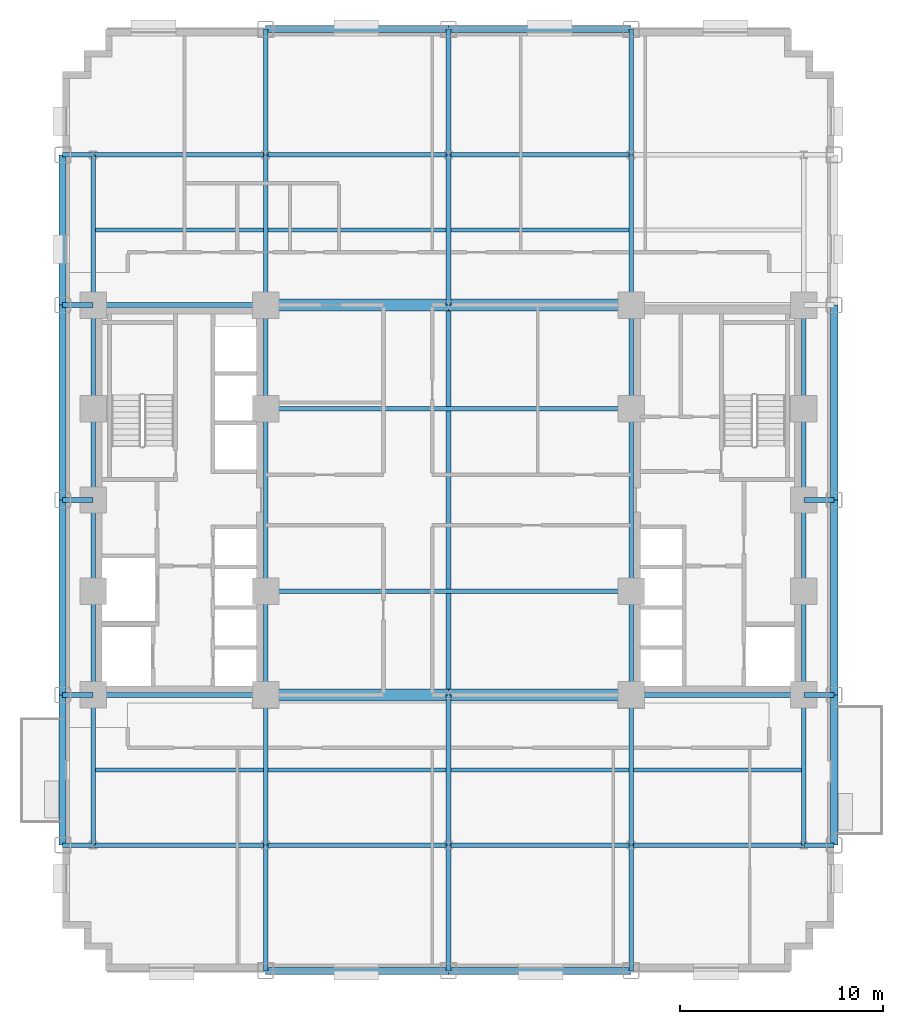
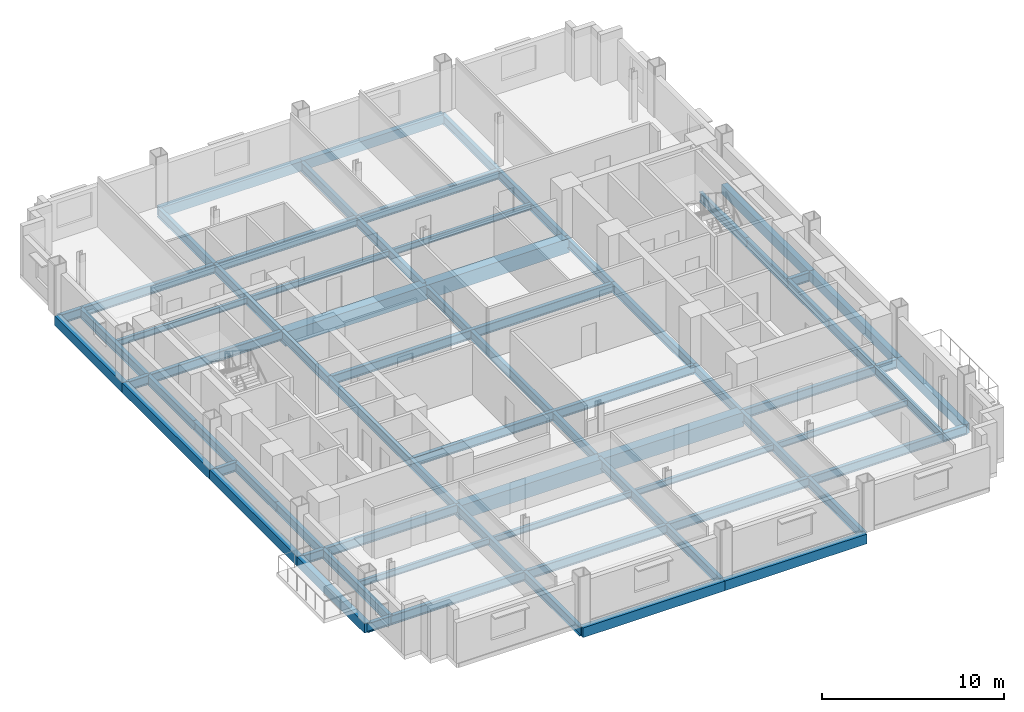
# One storey, part 3 of 12: 72 beams.
"""IFC4 building model written with IfcOpenShell, lengths in metres."""

from ifc_helpers import new_model, si_unit, direction, frame, origin, origin_2d, place, context, subcontext, project, spatial, rectangle, i_section, extrude, material, material_profile, profile_set, type_object, element, save


model = new_model("IFC4")

# Units and contexts
model_context = context("Model", 3, precision=1e-05, world=origin(), true_north=direction((0.0, 1.0)))
body_context = subcontext(model_context, "Body", "Model", "MODEL_VIEW")
ifc_project = project(units=[si_unit("LENGTHUNIT", "METRE"), si_unit("AREAUNIT", "SQUARE_METRE"), si_unit("VOLUMEUNIT", "CUBIC_METRE"), si_unit("PLANEANGLEUNIT", "RADIAN"), si_unit("MASSUNIT", "GRAM", prefix="KILO")], contexts=[model_context])

# Site, building, storey
site_placement = place(None, origin())
site = spatial("IfcSite", under=ifc_project, at=site_placement, CompositionType="ELEMENT")
building_placement = place(site_placement, origin())
building = spatial("IfcBuilding", under=site, at=building_placement, Name="Nuvemarco Arch Tower", CompositionType="ELEMENT")
storey_placement = place(building_placement, frame((0.0, 0.0, 45.85009765625)))
storey = spatial("IfcBuildingStorey", under=building, at=storey_placement, Name="L11", CompositionType="ELEMENT", Elevation=45.85009765625)

# Beams
ifc_material_1 = material(Name="Concrete C60/75", Category="concrete")
ifc_material_profile_1 = material_profile(ifc_material_1, rectangle(XDim=0.60009765625, YDim=0.949951171875, at=origin_2d()), Name="RC-BM-600x950")
ifc_profile_set_1 = profile_set([ifc_material_profile_1], Name="Concrete C60/75")
beam_type_1 = type_object("IfcBeamType", Name="BM-COUP-RC", PredefinedType="LINTEL", material=ifc_profile_set_1)
for number, where, z_axis, x_axis, name in (
    (1, (-9.0, -9.60009765625, -0.755126953125), (1.0, 0.0, 0.0), (0.0, 1.0, 0.0), "L11 structural beam BGEW_L11_0_-9.6_-9.0"),
    (2, (0.0, -9.60009765625, -0.755126953125), (1.0, 0.0, 0.0), (0.0, 1.0, 0.0), "L11 structural beam BGEW_L11_0_-9.6_+0.0"),
    (3, (-9.0, 9.60009765625, -0.755126953125), (1.0, 0.0, 0.0), (0.0, 1.0, 0.0), "L11 structural beam BGEW_L11_0_+9.6_-9.0"),
    (4, (0.0, 9.60009765625, -0.755126953125), (1.0, 0.0, 0.0), (0.0, 1.0, 0.0), "L11 structural beam BGEW_L11_0_+9.6_+0.0"),
):
    element("IfcBeam", number, at=place(storey_placement, frame(where, z_axis=z_axis, x_axis=x_axis)), inside=storey, type_object=beam_type_1, Name=name, PredefinedType="LINTEL", context=body_context, shape_type="SweptSolid", body=[
        extrude(rectangle(XDim=0.60009765625, YDim=0.949951171875, at=origin_2d()), origin(), (0.0, 0.0, 1.0), 9.0),
    ])
ifc_material_2 = material(Name="Steel S355", Category="steel")
ifc_material_profile_2 = material_profile(ifc_material_2, i_section(OverallWidth=0.22998046875, OverallDepth=0.616943359375, WebThickness=0.01318359375, FlangeThickness=0.022216796875, FilletRadius=0.01611328125, at=origin_2d()), Name="W610x140")
ifc_profile_set_2 = profile_set([ifc_material_profile_2], Name="Steel S355")
beam_type_2 = type_object("IfcBeamType", Name="BM-GIRD-610", PredefinedType="BEAM", material=ifc_profile_set_2)
beam_1_placement = place(storey_placement, frame((-17.5, -17.0, -0.588623046875), z_axis=(0.0, 1.0, 0.0), x_axis=(-1.0, 0.0, 0.0)))
element("IfcBeam", 5, at=beam_1_placement, inside=storey, type_object=beam_type_2, Name="L11 structural beam BGNS_L11_0_-17.5_-17.0", PredefinedType="BEAM", context=body_context, shape_type="SweptSolid", body=[
    extrude(i_section(OverallWidth=0.22998046875, OverallDepth=0.616943359375, WebThickness=0.01318359375, FlangeThickness=0.022216796875, FilletRadius=0.01611328125, at=origin_2d()), origin(), (0.0, 0.0, 1.0), 7.39990234375),
])
beam_2_placement = place(storey_placement, frame((-17.5, -9.60009765625, -0.588623046875), z_axis=(0.0, 1.0, 0.0), x_axis=(-1.0, 0.0, 0.0)))
element("IfcBeam", 6, at=beam_2_placement, inside=storey, type_object=beam_type_2, Name="L11 structural beam BGNS_L11_0_-17.5_-9.6", PredefinedType="BEAM", context=body_context, shape_type="SweptSolid", body=[
    extrude(i_section(OverallWidth=0.22998046875, OverallDepth=0.616943359375, WebThickness=0.01318359375, FlangeThickness=0.022216796875, FilletRadius=0.01611328125, at=origin_2d()), origin(), (0.0, 0.0, 1.0), 5.10009765625),
])
for number, where, z_axis, x_axis, name in (
    (7, (-17.5, -4.5, -0.588623046875), (0.0, 1.0, 0.0), (-1.0, 0.0, 0.0), "L11 structural beam BGNS_L11_0_-17.5_-4.5"),
    (8, (-17.5, 0.0, -0.588623046875), (0.0, 1.0, 0.0), (-1.0, 0.0, 0.0), "L11 structural beam BGNS_L11_0_-17.5_+0.0"),
):
    element("IfcBeam", number, at=place(storey_placement, frame(where, z_axis=z_axis, x_axis=x_axis)), inside=storey, type_object=beam_type_2, Name=name, PredefinedType="BEAM", context=body_context, shape_type="SweptSolid", body=[
        extrude(i_section(OverallWidth=0.22998046875, OverallDepth=0.616943359375, WebThickness=0.01318359375, FlangeThickness=0.022216796875, FilletRadius=0.01611328125, at=origin_2d()), origin(), (0.0, 0.0, 1.0), 4.5),
    ])
beam_3_placement = place(storey_placement, frame((-17.5, 4.5, -0.588623046875), z_axis=(0.0, 1.0, 0.0), x_axis=(-1.0, 0.0, 0.0)))
element("IfcBeam", 9, at=beam_3_placement, inside=storey, type_object=beam_type_2, Name="L11 structural beam BGNS_L11_0_-17.5_+4.5", PredefinedType="BEAM", context=body_context, shape_type="SweptSolid", body=[
    extrude(i_section(OverallWidth=0.22998046875, OverallDepth=0.616943359375, WebThickness=0.01318359375, FlangeThickness=0.022216796875, FilletRadius=0.01611328125, at=origin_2d()), origin(), (0.0, 0.0, 1.0), 5.10009765625),
])
beam_4_placement = place(storey_placement, frame((-17.5, 9.60009765625, -0.588623046875), z_axis=(0.0, 1.0, 0.0), x_axis=(-1.0, 0.0, 0.0)))
element("IfcBeam", 10, at=beam_4_placement, inside=storey, type_object=beam_type_2, Name="L11 structural beam BGNS_L11_0_-17.5_+9.6", PredefinedType="BEAM", context=body_context, shape_type="SweptSolid", body=[
    extrude(i_section(OverallWidth=0.22998046875, OverallDepth=0.616943359375, WebThickness=0.01318359375, FlangeThickness=0.022216796875, FilletRadius=0.01611328125, at=origin_2d()), origin(), (0.0, 0.0, 1.0), 7.39990234375),
])
beam_5_placement = place(storey_placement, frame((-9.0, -23.199951171875, -0.588623046875), z_axis=(0.0, 1.0, 0.0), x_axis=(-1.0, 0.0, 0.0)))
element("IfcBeam", 11, at=beam_5_placement, inside=storey, type_object=beam_type_2, Name="L11 structural beam BGNS_L11_0_-9.0_-23.2", PredefinedType="BEAM", context=body_context, shape_type="SweptSolid", body=[
    extrude(i_section(OverallWidth=0.22998046875, OverallDepth=0.616943359375, WebThickness=0.01318359375, FlangeThickness=0.022216796875, FilletRadius=0.01611328125, at=origin_2d()), origin(), (0.0, 0.0, 1.0), 6.199951171875),
])
beam_6_placement = place(storey_placement, frame((-9.0, -17.0, -0.588623046875), z_axis=(0.0, 1.0, 0.0), x_axis=(-1.0, 0.0, 0.0)))
element("IfcBeam", 12, at=beam_6_placement, inside=storey, type_object=beam_type_2, Name="L11 structural beam BGNS_L11_0_-9.0_-17.0", PredefinedType="BEAM", context=body_context, shape_type="SweptSolid", body=[
    extrude(i_section(OverallWidth=0.22998046875, OverallDepth=0.616943359375, WebThickness=0.01318359375, FlangeThickness=0.022216796875, FilletRadius=0.01611328125, at=origin_2d()), origin(), (0.0, 0.0, 1.0), 7.39990234375),
])
beam_7_placement = place(storey_placement, frame((-9.0, -9.60009765625, -0.588623046875), z_axis=(0.0, 1.0, 0.0), x_axis=(-1.0, 0.0, 0.0)))
element("IfcBeam", 13, at=beam_7_placement, inside=storey, type_object=beam_type_2, Name="L11 structural beam BGNS_L11_0_-9.0_-9.6", PredefinedType="BEAM", context=body_context, shape_type="SweptSolid", body=[
    extrude(i_section(OverallWidth=0.22998046875, OverallDepth=0.616943359375, WebThickness=0.01318359375, FlangeThickness=0.022216796875, FilletRadius=0.01611328125, at=origin_2d()), origin(), (0.0, 0.0, 1.0), 5.10009765625),
])
beam_8_placement = place(storey_placement, frame((-9.0, -4.5, -0.588623046875), z_axis=(0.0, 1.0, 0.0), x_axis=(-1.0, 0.0, 0.0)))
element("IfcBeam", 14, at=beam_8_placement, inside=storey, type_object=beam_type_2, Name="L11 structural beam BGNS_L11_0_-9.0_-4.5", PredefinedType="BEAM", context=body_context, shape_type="SweptSolid", body=[
    extrude(i_section(OverallWidth=0.22998046875, OverallDepth=0.616943359375, WebThickness=0.01318359375, FlangeThickness=0.022216796875, FilletRadius=0.01611328125, at=origin_2d()), origin(), (0.0, 0.0, 1.0), 9.0),
])
beam_9_placement = place(storey_placement, frame((-9.0, 4.5, -0.588623046875), z_axis=(0.0, 1.0, 0.0), x_axis=(-1.0, 0.0, 0.0)))
element("IfcBeam", 15, at=beam_9_placement, inside=storey, type_object=beam_type_2, Name="L11 structural beam BGNS_L11_0_-9.0_+4.5", PredefinedType="BEAM", context=body_context, shape_type="SweptSolid", body=[
    extrude(i_section(OverallWidth=0.22998046875, OverallDepth=0.616943359375, WebThickness=0.01318359375, FlangeThickness=0.022216796875, FilletRadius=0.01611328125, at=origin_2d()), origin(), (0.0, 0.0, 1.0), 5.10009765625),
])
beam_10_placement = place(storey_placement, frame((-9.0, 9.60009765625, -0.588623046875), z_axis=(0.0, 1.0, 0.0), x_axis=(-1.0, 0.0, 0.0)))
element("IfcBeam", 16, at=beam_10_placement, inside=storey, type_object=beam_type_2, Name="L11 structural beam BGNS_L11_0_-9.0_+9.6", PredefinedType="BEAM", context=body_context, shape_type="SweptSolid", body=[
    extrude(i_section(OverallWidth=0.22998046875, OverallDepth=0.616943359375, WebThickness=0.01318359375, FlangeThickness=0.022216796875, FilletRadius=0.01611328125, at=origin_2d()), origin(), (0.0, 0.0, 1.0), 7.39990234375),
])
for number, where, z_axis, x_axis, name in (
    (17, (-9.0, 17.0, -0.588623046875), (0.0, 1.0, 0.0), (-1.0, 0.0, 0.0), "L11 structural beam BGNS_L11_0_-9.0_+17.0"),
    (18, (0.0, -23.199951171875, -0.588623046875), (0.0, 1.0, 0.0), (-1.0, 0.0, 0.0), "L11 structural beam BGNS_L11_0_+0.0_-23.2"),
):
    element("IfcBeam", number, at=place(storey_placement, frame(where, z_axis=z_axis, x_axis=x_axis)), inside=storey, type_object=beam_type_2, Name=name, PredefinedType="BEAM", context=body_context, shape_type="SweptSolid", body=[
        extrude(i_section(OverallWidth=0.22998046875, OverallDepth=0.616943359375, WebThickness=0.01318359375, FlangeThickness=0.022216796875, FilletRadius=0.01611328125, at=origin_2d()), origin(), (0.0, 0.0, 1.0), 6.199951171875),
    ])
beam_11_placement = place(storey_placement, frame((0.0, -17.0, -0.588623046875), z_axis=(0.0, 1.0, 0.0), x_axis=(-1.0, 0.0, 0.0)))
element("IfcBeam", 19, at=beam_11_placement, inside=storey, type_object=beam_type_2, Name="L11 structural beam BGNS_L11_0_+0.0_-17.0", PredefinedType="BEAM", context=body_context, shape_type="SweptSolid", body=[
    extrude(i_section(OverallWidth=0.22998046875, OverallDepth=0.616943359375, WebThickness=0.01318359375, FlangeThickness=0.022216796875, FilletRadius=0.01611328125, at=origin_2d()), origin(), (0.0, 0.0, 1.0), 7.39990234375),
])
beam_12_placement = place(storey_placement, frame((0.0, -9.60009765625, -0.588623046875), z_axis=(0.0, 1.0, 0.0), x_axis=(-1.0, 0.0, 0.0)))
element("IfcBeam", 20, at=beam_12_placement, inside=storey, type_object=beam_type_2, Name="L11 structural beam BGNS_L11_0_+0.0_-9.6", PredefinedType="BEAM", context=body_context, shape_type="SweptSolid", body=[
    extrude(i_section(OverallWidth=0.22998046875, OverallDepth=0.616943359375, WebThickness=0.01318359375, FlangeThickness=0.022216796875, FilletRadius=0.01611328125, at=origin_2d()), origin(), (0.0, 0.0, 1.0), 19.2001953125),
])
beam_13_placement = place(storey_placement, frame((0.0, 9.60009765625, -0.588623046875), z_axis=(0.0, 1.0, 0.0), x_axis=(-1.0, 0.0, 0.0)))
element("IfcBeam", 21, at=beam_13_placement, inside=storey, type_object=beam_type_2, Name="L11 structural beam BGNS_L11_0_+0.0_+9.6", PredefinedType="BEAM", context=body_context, shape_type="SweptSolid", body=[
    extrude(i_section(OverallWidth=0.22998046875, OverallDepth=0.616943359375, WebThickness=0.01318359375, FlangeThickness=0.022216796875, FilletRadius=0.01611328125, at=origin_2d()), origin(), (0.0, 0.0, 1.0), 7.39990234375),
])
for number, where, z_axis, x_axis, name in (
    (22, (0.0, 17.0, -0.588623046875), (0.0, 1.0, 0.0), (-1.0, 0.0, 0.0), "L11 structural beam BGNS_L11_0_+0.0_+17.0"),
    (23, (9.0, -23.199951171875, -0.588623046875), (0.0, 1.0, 0.0), (-1.0, 0.0, 0.0), "L11 structural beam BGNS_L11_0_+9.0_-23.2"),
):
    element("IfcBeam", number, at=place(storey_placement, frame(where, z_axis=z_axis, x_axis=x_axis)), inside=storey, type_object=beam_type_2, Name=name, PredefinedType="BEAM", context=body_context, shape_type="SweptSolid", body=[
        extrude(i_section(OverallWidth=0.22998046875, OverallDepth=0.616943359375, WebThickness=0.01318359375, FlangeThickness=0.022216796875, FilletRadius=0.01611328125, at=origin_2d()), origin(), (0.0, 0.0, 1.0), 6.199951171875),
    ])
beam_14_placement = place(storey_placement, frame((9.0, -17.0, -0.588623046875), z_axis=(0.0, 1.0, 0.0), x_axis=(-1.0, 0.0, 0.0)))
element("IfcBeam", 24, at=beam_14_placement, inside=storey, type_object=beam_type_2, Name="L11 structural beam BGNS_L11_0_+9.0_-17.0", PredefinedType="BEAM", context=body_context, shape_type="SweptSolid", body=[
    extrude(i_section(OverallWidth=0.22998046875, OverallDepth=0.616943359375, WebThickness=0.01318359375, FlangeThickness=0.022216796875, FilletRadius=0.01611328125, at=origin_2d()), origin(), (0.0, 0.0, 1.0), 7.39990234375),
])
beam_15_placement = place(storey_placement, frame((9.0, -9.60009765625, -0.588623046875), z_axis=(0.0, 1.0, 0.0), x_axis=(-1.0, 0.0, 0.0)))
element("IfcBeam", 25, at=beam_15_placement, inside=storey, type_object=beam_type_2, Name="L11 structural beam BGNS_L11_0_+9.0_-9.6", PredefinedType="BEAM", context=body_context, shape_type="SweptSolid", body=[
    extrude(i_section(OverallWidth=0.22998046875, OverallDepth=0.616943359375, WebThickness=0.01318359375, FlangeThickness=0.022216796875, FilletRadius=0.01611328125, at=origin_2d()), origin(), (0.0, 0.0, 1.0), 5.10009765625),
])
beam_16_placement = place(storey_placement, frame((9.0, -4.5, -0.588623046875), z_axis=(0.0, 1.0, 0.0), x_axis=(-1.0, 0.0, 0.0)))
element("IfcBeam", 26, at=beam_16_placement, inside=storey, type_object=beam_type_2, Name="L11 structural beam BGNS_L11_0_+9.0_-4.5", PredefinedType="BEAM", context=body_context, shape_type="SweptSolid", body=[
    extrude(i_section(OverallWidth=0.22998046875, OverallDepth=0.616943359375, WebThickness=0.01318359375, FlangeThickness=0.022216796875, FilletRadius=0.01611328125, at=origin_2d()), origin(), (0.0, 0.0, 1.0), 9.0),
])
beam_17_placement = place(storey_placement, frame((9.0, 4.5, -0.588623046875), z_axis=(0.0, 1.0, 0.0), x_axis=(-1.0, 0.0, 0.0)))
element("IfcBeam", 27, at=beam_17_placement, inside=storey, type_object=beam_type_2, Name="L11 structural beam BGNS_L11_0_+9.0_+4.5", PredefinedType="BEAM", context=body_context, shape_type="SweptSolid", body=[
    extrude(i_section(OverallWidth=0.22998046875, OverallDepth=0.616943359375, WebThickness=0.01318359375, FlangeThickness=0.022216796875, FilletRadius=0.01611328125, at=origin_2d()), origin(), (0.0, 0.0, 1.0), 5.10009765625),
])
beam_18_placement = place(storey_placement, frame((9.0, 9.60009765625, -0.588623046875), z_axis=(0.0, 1.0, 0.0), x_axis=(-1.0, 0.0, 0.0)))
element("IfcBeam", 28, at=beam_18_placement, inside=storey, type_object=beam_type_2, Name="L11 structural beam BGNS_L11_0_+9.0_+9.6", PredefinedType="BEAM", context=body_context, shape_type="SweptSolid", body=[
    extrude(i_section(OverallWidth=0.22998046875, OverallDepth=0.616943359375, WebThickness=0.01318359375, FlangeThickness=0.022216796875, FilletRadius=0.01611328125, at=origin_2d()), origin(), (0.0, 0.0, 1.0), 7.39990234375),
])
beam_19_placement = place(storey_placement, frame((9.0, 17.0, -0.588623046875), z_axis=(0.0, 1.0, 0.0), x_axis=(-1.0, 0.0, 0.0)))
element("IfcBeam", 29, at=beam_19_placement, inside=storey, type_object=beam_type_2, Name="L11 structural beam BGNS_L11_0_+9.0_+17.0", PredefinedType="BEAM", context=body_context, shape_type="SweptSolid", body=[
    extrude(i_section(OverallWidth=0.22998046875, OverallDepth=0.616943359375, WebThickness=0.01318359375, FlangeThickness=0.022216796875, FilletRadius=0.01611328125, at=origin_2d()), origin(), (0.0, 0.0, 1.0), 6.199951171875),
])
beam_20_placement = place(storey_placement, frame((17.5, -17.0, -0.588623046875), z_axis=(0.0, 1.0, 0.0), x_axis=(-1.0, 0.0, 0.0)))
element("IfcBeam", 30, at=beam_20_placement, inside=storey, type_object=beam_type_2, Name="L11 structural beam BGNS_L11_0_+17.5_-17.0", PredefinedType="BEAM", context=body_context, shape_type="SweptSolid", body=[
    extrude(i_section(OverallWidth=0.22998046875, OverallDepth=0.616943359375, WebThickness=0.01318359375, FlangeThickness=0.022216796875, FilletRadius=0.01611328125, at=origin_2d()), origin(), (0.0, 0.0, 1.0), 7.39990234375),
])
beam_21_placement = place(storey_placement, frame((17.5, -9.60009765625, -0.588623046875), z_axis=(0.0, 1.0, 0.0), x_axis=(-1.0, 0.0, 0.0)))
element("IfcBeam", 31, at=beam_21_placement, inside=storey, type_object=beam_type_2, Name="L11 structural beam BGNS_L11_0_+17.5_-9.6", PredefinedType="BEAM", context=body_context, shape_type="SweptSolid", body=[
    extrude(i_section(OverallWidth=0.22998046875, OverallDepth=0.616943359375, WebThickness=0.01318359375, FlangeThickness=0.022216796875, FilletRadius=0.01611328125, at=origin_2d()), origin(), (0.0, 0.0, 1.0), 5.10009765625),
])
for number, where, z_axis, x_axis, name in (
    (32, (17.5, -4.5, -0.588623046875), (0.0, 1.0, 0.0), (-1.0, 0.0, 0.0), "L11 structural beam BGNS_L11_0_+17.5_-4.5"),
    (33, (17.5, 0.0, -0.588623046875), (0.0, 1.0, 0.0), (-1.0, 0.0, 0.0), "L11 structural beam BGNS_L11_0_+17.5_+0.0"),
):
    element("IfcBeam", number, at=place(storey_placement, frame(where, z_axis=z_axis, x_axis=x_axis)), inside=storey, type_object=beam_type_2, Name=name, PredefinedType="BEAM", context=body_context, shape_type="SweptSolid", body=[
        extrude(i_section(OverallWidth=0.22998046875, OverallDepth=0.616943359375, WebThickness=0.01318359375, FlangeThickness=0.022216796875, FilletRadius=0.01611328125, at=origin_2d()), origin(), (0.0, 0.0, 1.0), 4.5),
    ])
beam_22_placement = place(storey_placement, frame((17.5, 4.5, -0.588623046875), z_axis=(0.0, 1.0, 0.0), x_axis=(-1.0, 0.0, 0.0)))
element("IfcBeam", 34, at=beam_22_placement, inside=storey, type_object=beam_type_2, Name="L11 structural beam BGNS_L11_0_+17.5_+4.5", PredefinedType="BEAM", context=body_context, shape_type="SweptSolid", body=[
    extrude(i_section(OverallWidth=0.22998046875, OverallDepth=0.616943359375, WebThickness=0.01318359375, FlangeThickness=0.022216796875, FilletRadius=0.01611328125, at=origin_2d()), origin(), (0.0, 0.0, 1.0), 5.10009765625),
])
beam_23_placement = place(storey_placement, frame((-19.0, -17.0, -0.588623046875), z_axis=(1.0, 0.0, 0.0), x_axis=(0.0, 1.0, 0.0)))
element("IfcBeam", 35, at=beam_23_placement, inside=storey, type_object=beam_type_2, Name="L11 structural beam BGEW_L11_0_-17.0_-19.0", PredefinedType="BEAM", context=body_context, shape_type="SweptSolid", body=[
    extrude(i_section(OverallWidth=0.22998046875, OverallDepth=0.616943359375, WebThickness=0.01318359375, FlangeThickness=0.022216796875, FilletRadius=0.01611328125, at=origin_2d()), origin(), (0.0, 0.0, 1.0), 1.5),
])
beam_24_placement = place(storey_placement, frame((-17.5, -17.0, -0.588623046875), z_axis=(1.0, 0.0, 0.0), x_axis=(0.0, 1.0, 0.0)))
element("IfcBeam", 36, at=beam_24_placement, inside=storey, type_object=beam_type_2, Name="L11 structural beam BGEW_L11_0_-17.0_-17.5", PredefinedType="BEAM", context=body_context, shape_type="SweptSolid", body=[
    extrude(i_section(OverallWidth=0.22998046875, OverallDepth=0.616943359375, WebThickness=0.01318359375, FlangeThickness=0.022216796875, FilletRadius=0.01611328125, at=origin_2d()), origin(), (0.0, 0.0, 1.0), 8.5),
])
for number, where, z_axis, x_axis, name in (
    (37, (-9.0, -17.0, -0.588623046875), (1.0, 0.0, 0.0), (0.0, 1.0, 0.0), "L11 structural beam BGEW_L11_0_-17.0_-9.0"),
    (38, (0.0, -17.0, -0.588623046875), (1.0, 0.0, 0.0), (0.0, 1.0, 0.0), "L11 structural beam BGEW_L11_0_-17.0_+0.0"),
):
    element("IfcBeam", number, at=place(storey_placement, frame(where, z_axis=z_axis, x_axis=x_axis)), inside=storey, type_object=beam_type_2, Name=name, PredefinedType="BEAM", context=body_context, shape_type="SweptSolid", body=[
        extrude(i_section(OverallWidth=0.22998046875, OverallDepth=0.616943359375, WebThickness=0.01318359375, FlangeThickness=0.022216796875, FilletRadius=0.01611328125, at=origin_2d()), origin(), (0.0, 0.0, 1.0), 9.0),
    ])
beam_25_placement = place(storey_placement, frame((9.0, -17.0, -0.588623046875), z_axis=(1.0, 0.0, 0.0), x_axis=(0.0, 1.0, 0.0)))
element("IfcBeam", 39, at=beam_25_placement, inside=storey, type_object=beam_type_2, Name="L11 structural beam BGEW_L11_0_-17.0_+9.0", PredefinedType="BEAM", context=body_context, shape_type="SweptSolid", body=[
    extrude(i_section(OverallWidth=0.22998046875, OverallDepth=0.616943359375, WebThickness=0.01318359375, FlangeThickness=0.022216796875, FilletRadius=0.01611328125, at=origin_2d()), origin(), (0.0, 0.0, 1.0), 8.5),
])
for number, where, z_axis, x_axis, name in (
    (40, (17.5, -17.0, -0.588623046875), (1.0, 0.0, 0.0), (0.0, 1.0, 0.0), "L11 structural beam BGEW_L11_0_-17.0_+17.5"),
    (41, (-19.0, -9.60009765625, -0.588623046875), (1.0, 0.0, 0.0), (0.0, 1.0, 0.0), "L11 structural beam BGEW_L11_0_-9.6_-19.0"),
):
    element("IfcBeam", number, at=place(storey_placement, frame(where, z_axis=z_axis, x_axis=x_axis)), inside=storey, type_object=beam_type_2, Name=name, PredefinedType="BEAM", context=body_context, shape_type="SweptSolid", body=[
        extrude(i_section(OverallWidth=0.22998046875, OverallDepth=0.616943359375, WebThickness=0.01318359375, FlangeThickness=0.022216796875, FilletRadius=0.01611328125, at=origin_2d()), origin(), (0.0, 0.0, 1.0), 1.5),
    ])
for number, where, z_axis, x_axis, name in (
    (42, (-17.5, -9.60009765625, -0.588623046875), (1.0, 0.0, 0.0), (0.0, 1.0, 0.0), "L11 structural beam BGEW_L11_0_-9.6_-17.5"),
    (43, (9.0, -9.60009765625, -0.588623046875), (1.0, 0.0, 0.0), (0.0, 1.0, 0.0), "L11 structural beam BGEW_L11_0_-9.6_+9.0"),
):
    element("IfcBeam", number, at=place(storey_placement, frame(where, z_axis=z_axis, x_axis=x_axis)), inside=storey, type_object=beam_type_2, Name=name, PredefinedType="BEAM", context=body_context, shape_type="SweptSolid", body=[
        extrude(i_section(OverallWidth=0.22998046875, OverallDepth=0.616943359375, WebThickness=0.01318359375, FlangeThickness=0.022216796875, FilletRadius=0.01611328125, at=origin_2d()), origin(), (0.0, 0.0, 1.0), 8.5),
    ])
beam_26_placement = place(storey_placement, frame((17.5, -9.60009765625, -0.588623046875), z_axis=(1.0, 0.0, 0.0), x_axis=(0.0, 1.0, 0.0)))
element("IfcBeam", 44, at=beam_26_placement, inside=storey, type_object=beam_type_2, Name="L11 structural beam BGEW_L11_0_-9.6_+17.5", PredefinedType="BEAM", context=body_context, shape_type="SweptSolid", body=[
    extrude(i_section(OverallWidth=0.22998046875, OverallDepth=0.616943359375, WebThickness=0.01318359375, FlangeThickness=0.022216796875, FilletRadius=0.01611328125, at=origin_2d()), origin(), (0.0, 0.0, 1.0), 1.5),
])
beam_27_placement = place(storey_placement, frame((-9.0, -4.5, -0.588623046875), z_axis=(1.0, 0.0, 0.0), x_axis=(0.0, 1.0, 0.0)))
element("IfcBeam", 45, at=beam_27_placement, inside=storey, type_object=beam_type_2, Name="L11 structural beam BGEW_L11_0_-4.5_-9.0", PredefinedType="BEAM", context=body_context, shape_type="SweptSolid", body=[
    extrude(i_section(OverallWidth=0.22998046875, OverallDepth=0.616943359375, WebThickness=0.01318359375, FlangeThickness=0.022216796875, FilletRadius=0.01611328125, at=origin_2d()), origin(), (0.0, 0.0, 1.0), 18.0),
])
for number, where, z_axis, x_axis, name in (
    (46, (-19.0, 0.0, -0.588623046875), (1.0, 0.0, 0.0), (0.0, 1.0, 0.0), "L11 structural beam BGEW_L11_0_+0.0_-19.0"),
    (47, (17.5, 0.0, -0.588623046875), (1.0, 0.0, 0.0), (0.0, 1.0, 0.0), "L11 structural beam BGEW_L11_0_+0.0_+17.5"),
):
    element("IfcBeam", number, at=place(storey_placement, frame(where, z_axis=z_axis, x_axis=x_axis)), inside=storey, type_object=beam_type_2, Name=name, PredefinedType="BEAM", context=body_context, shape_type="SweptSolid", body=[
        extrude(i_section(OverallWidth=0.22998046875, OverallDepth=0.616943359375, WebThickness=0.01318359375, FlangeThickness=0.022216796875, FilletRadius=0.01611328125, at=origin_2d()), origin(), (0.0, 0.0, 1.0), 1.5),
    ])
beam_28_placement = place(storey_placement, frame((-9.0, 4.5, -0.588623046875), z_axis=(1.0, 0.0, 0.0), x_axis=(0.0, 1.0, 0.0)))
element("IfcBeam", 48, at=beam_28_placement, inside=storey, type_object=beam_type_2, Name="L11 structural beam BGEW_L11_0_+4.5_-9.0", PredefinedType="BEAM", context=body_context, shape_type="SweptSolid", body=[
    extrude(i_section(OverallWidth=0.22998046875, OverallDepth=0.616943359375, WebThickness=0.01318359375, FlangeThickness=0.022216796875, FilletRadius=0.01611328125, at=origin_2d()), origin(), (0.0, 0.0, 1.0), 18.0),
])
beam_29_placement = place(storey_placement, frame((-19.0, 9.60009765625, -0.588623046875), z_axis=(1.0, 0.0, 0.0), x_axis=(0.0, 1.0, 0.0)))
element("IfcBeam", 49, at=beam_29_placement, inside=storey, type_object=beam_type_2, Name="L11 structural beam BGEW_L11_0_+9.6_-19.0", PredefinedType="BEAM", context=body_context, shape_type="SweptSolid", body=[
    extrude(i_section(OverallWidth=0.22998046875, OverallDepth=0.616943359375, WebThickness=0.01318359375, FlangeThickness=0.022216796875, FilletRadius=0.01611328125, at=origin_2d()), origin(), (0.0, 0.0, 1.0), 1.5),
])
beam_30_placement = place(storey_placement, frame((-17.5, 9.60009765625, -0.588623046875), z_axis=(1.0, 0.0, 0.0), x_axis=(0.0, 1.0, 0.0)))
element("IfcBeam", 50, at=beam_30_placement, inside=storey, type_object=beam_type_2, Name="L11 structural beam BGEW_L11_0_+9.6_-17.5", PredefinedType="BEAM", context=body_context, shape_type="SweptSolid", body=[
    extrude(i_section(OverallWidth=0.22998046875, OverallDepth=0.616943359375, WebThickness=0.01318359375, FlangeThickness=0.022216796875, FilletRadius=0.01611328125, at=origin_2d()), origin(), (0.0, 0.0, 1.0), 8.5),
])
beam_31_placement = place(storey_placement, frame((-19.0, 17.0, -0.588623046875), z_axis=(1.0, 0.0, 0.0), x_axis=(0.0, 1.0, 0.0)))
element("IfcBeam", 51, at=beam_31_placement, inside=storey, type_object=beam_type_2, Name="L11 structural beam BGEW_L11_0_+17.0_-19.0", PredefinedType="BEAM", context=body_context, shape_type="SweptSolid", body=[
    extrude(i_section(OverallWidth=0.22998046875, OverallDepth=0.616943359375, WebThickness=0.01318359375, FlangeThickness=0.022216796875, FilletRadius=0.01611328125, at=origin_2d()), origin(), (0.0, 0.0, 1.0), 1.5),
])
beam_32_placement = place(storey_placement, frame((-17.5, 17.0, -0.588623046875), z_axis=(1.0, 0.0, 0.0), x_axis=(0.0, 1.0, 0.0)))
element("IfcBeam", 52, at=beam_32_placement, inside=storey, type_object=beam_type_2, Name="L11 structural beam BGEW_L11_0_+17.0_-17.5", PredefinedType="BEAM", context=body_context, shape_type="SweptSolid", body=[
    extrude(i_section(OverallWidth=0.22998046875, OverallDepth=0.616943359375, WebThickness=0.01318359375, FlangeThickness=0.022216796875, FilletRadius=0.01611328125, at=origin_2d()), origin(), (0.0, 0.0, 1.0), 8.5),
])
for number, where, z_axis, x_axis, name in (
    (53, (-9.0, 17.0, -0.588623046875), (1.0, 0.0, 0.0), (0.0, 1.0, 0.0), "L11 structural beam BGEW_L11_0_+17.0_-9.0"),
    (54, (0.0, 17.0, -0.588623046875), (1.0, 0.0, 0.0), (0.0, 1.0, 0.0), "L11 structural beam BGEW_L11_0_+17.0_+0.0"),
):
    element("IfcBeam", number, at=place(storey_placement, frame(where, z_axis=z_axis, x_axis=x_axis)), inside=storey, type_object=beam_type_2, Name=name, PredefinedType="BEAM", context=body_context, shape_type="SweptSolid", body=[
        extrude(i_section(OverallWidth=0.22998046875, OverallDepth=0.616943359375, WebThickness=0.01318359375, FlangeThickness=0.022216796875, FilletRadius=0.01611328125, at=origin_2d()), origin(), (0.0, 0.0, 1.0), 9.0),
    ])
ifc_material_profile_3 = material_profile(ifc_material_2, i_section(OverallWidth=0.179931640625, OverallDepth=0.4130859375, WebThickness=0.009765625, FlangeThickness=0.01611328125, FilletRadius=0.014892578125, at=origin_2d()), Name="W410x75")
ifc_profile_set_3 = profile_set([ifc_material_profile_3], Name="Steel S355")
beam_type_3 = type_object("IfcBeamType", Name="BM-JOIST-410", PredefinedType="JOIST", material=ifc_profile_set_3)
beam_33_placement = place(storey_placement, frame((-17.385009765625, -13.300048828125, -0.486572265625), z_axis=(1.0, 0.0, 0.0), x_axis=(0.0, 1.0, 0.0)))
element("IfcBeam", 55, at=beam_33_placement, inside=storey, type_object=beam_type_3, Name="L11 structural beam BJ_L11_0_-13.3_-17.5", PredefinedType="JOIST", context=body_context, shape_type="SweptSolid", body=[
    extrude(i_section(OverallWidth=0.179931640625, OverallDepth=0.4130859375, WebThickness=0.009765625, FlangeThickness=0.01611328125, FilletRadius=0.014892578125, at=origin_2d()), origin(), (0.0, 0.0, 1.0), 8.27001953125),
])
for number, where, z_axis, x_axis, name in (
    (56, (-8.885009765625, -13.300048828125, -0.486572265625), (1.0, 0.0, 0.0), (0.0, 1.0, 0.0), "L11 structural beam BJ_L11_0_-13.3_-9.0"),
    (57, (0.114990234375, -13.300048828125, -0.486572265625), (1.0, 0.0, 0.0), (0.0, 1.0, 0.0), "L11 structural beam BJ_L11_0_-13.3_+0.0"),
):
    element("IfcBeam", number, at=place(storey_placement, frame(where, z_axis=z_axis, x_axis=x_axis)), inside=storey, type_object=beam_type_3, Name=name, PredefinedType="JOIST", context=body_context, shape_type="SweptSolid", body=[
        extrude(i_section(OverallWidth=0.179931640625, OverallDepth=0.4130859375, WebThickness=0.009765625, FlangeThickness=0.01611328125, FilletRadius=0.014892578125, at=origin_2d()), origin(), (0.0, 0.0, 1.0), 8.77001953125),
    ])
for number, where, z_axis, x_axis, name in (
    (58, (9.114990234375, -13.300048828125, -0.486572265625), (1.0, 0.0, 0.0), (0.0, 1.0, 0.0), "L11 structural beam BJ_L11_0_-13.3_+9.0"),
    (59, (-17.385009765625, 13.300048828125, -0.486572265625), (1.0, 0.0, 0.0), (0.0, 1.0, 0.0), "L11 structural beam BJ_L11_0_+13.3_-17.5"),
):
    element("IfcBeam", number, at=place(storey_placement, frame(where, z_axis=z_axis, x_axis=x_axis)), inside=storey, type_object=beam_type_3, Name=name, PredefinedType="JOIST", context=body_context, shape_type="SweptSolid", body=[
        extrude(i_section(OverallWidth=0.179931640625, OverallDepth=0.4130859375, WebThickness=0.009765625, FlangeThickness=0.01611328125, FilletRadius=0.014892578125, at=origin_2d()), origin(), (0.0, 0.0, 1.0), 8.27001953125),
    ])
for number, where, z_axis, x_axis, name in (
    (60, (-8.885009765625, 13.300048828125, -0.486572265625), (1.0, 0.0, 0.0), (0.0, 1.0, 0.0), "L11 structural beam BJ_L11_0_+13.3_-9.0"),
    (61, (0.114990234375, 13.300048828125, -0.486572265625), (1.0, 0.0, 0.0), (0.0, 1.0, 0.0), "L11 structural beam BJ_L11_0_+13.3_+0.0"),
):
    element("IfcBeam", number, at=place(storey_placement, frame(where, z_axis=z_axis, x_axis=x_axis)), inside=storey, type_object=beam_type_3, Name=name, PredefinedType="JOIST", context=body_context, shape_type="SweptSolid", body=[
        extrude(i_section(OverallWidth=0.179931640625, OverallDepth=0.4130859375, WebThickness=0.009765625, FlangeThickness=0.01611328125, FilletRadius=0.014892578125, at=origin_2d()), origin(), (0.0, 0.0, 1.0), 8.77001953125),
    ])
ifc_material_3 = material(Name="Precast concrete C45/55", Category="concrete")
ifc_material_profile_4 = material_profile(ifc_material_3, rectangle(XDim=0.35009765625, YDim=0.64990234375, at=origin_2d()), Name="PC-SP-350x650")
ifc_profile_set_4 = profile_set([ifc_material_profile_4], Name="Precast concrete C45/55")
beam_type_4 = type_object("IfcBeamType", Name="BM-SPAN-RC", PredefinedType="SPANDREL", material=ifc_profile_set_4)
beam_34_placement = place(storey_placement, frame((-19.0, -17.0, -0.60498046875), z_axis=(0.0, 1.0, 0.0), x_axis=(-1.0, 0.0, 0.0)))
element("IfcBeam", 62, at=beam_34_placement, inside=storey, type_object=beam_type_4, Name="L11 structural beam BGNS_L11_0_-19.0_-17.0", PredefinedType="SPANDREL", context=body_context, shape_type="SweptSolid", body=[
    extrude(rectangle(XDim=0.35009765625, YDim=0.64990234375, at=origin_2d()), origin(), (0.0, 0.0, 1.0), 7.39990234375),
])
for number, where, z_axis, x_axis, name in (
    (63, (-19.0, -9.60009765625, -0.60498046875), (0.0, 1.0, 0.0), (-1.0, 0.0, 0.0), "L11 structural beam BGNS_L11_0_-19.0_-9.6"),
    (64, (-19.0, 0.0, -0.60498046875), (0.0, 1.0, 0.0), (-1.0, 0.0, 0.0), "L11 structural beam BGNS_L11_0_-19.0_+0.0"),
):
    element("IfcBeam", number, at=place(storey_placement, frame(where, z_axis=z_axis, x_axis=x_axis)), inside=storey, type_object=beam_type_4, Name=name, PredefinedType="SPANDREL", context=body_context, shape_type="SweptSolid", body=[
        extrude(rectangle(XDim=0.35009765625, YDim=0.64990234375, at=origin_2d()), origin(), (0.0, 0.0, 1.0), 9.60009765625),
    ])
for number, where, z_axis, x_axis, name in (
    (65, (-19.0, 9.60009765625, -0.60498046875), (0.0, 1.0, 0.0), (-1.0, 0.0, 0.0), "L11 structural beam BGNS_L11_0_-19.0_+9.6"),
    (66, (19.0, -17.0, -0.60498046875), (0.0, 1.0, 0.0), (-1.0, 0.0, 0.0), "L11 structural beam BGNS_L11_0_+19.0_-17.0"),
):
    element("IfcBeam", number, at=place(storey_placement, frame(where, z_axis=z_axis, x_axis=x_axis)), inside=storey, type_object=beam_type_4, Name=name, PredefinedType="SPANDREL", context=body_context, shape_type="SweptSolid", body=[
        extrude(rectangle(XDim=0.35009765625, YDim=0.64990234375, at=origin_2d()), origin(), (0.0, 0.0, 1.0), 7.39990234375),
    ])
for number, where, z_axis, x_axis, name in (
    (67, (19.0, -9.60009765625, -0.60498046875), (0.0, 1.0, 0.0), (-1.0, 0.0, 0.0), "L11 structural beam BGNS_L11_0_+19.0_-9.6"),
    (68, (19.0, 0.0, -0.60498046875), (0.0, 1.0, 0.0), (-1.0, 0.0, 0.0), "L11 structural beam BGNS_L11_0_+19.0_+0.0"),
):
    element("IfcBeam", number, at=place(storey_placement, frame(where, z_axis=z_axis, x_axis=x_axis)), inside=storey, type_object=beam_type_4, Name=name, PredefinedType="SPANDREL", context=body_context, shape_type="SweptSolid", body=[
        extrude(rectangle(XDim=0.35009765625, YDim=0.64990234375, at=origin_2d()), origin(), (0.0, 0.0, 1.0), 9.60009765625),
    ])
for number, where, z_axis, x_axis, name in (
    (69, (-9.0, -23.199951171875, -0.60498046875), (1.0, 0.0, 0.0), (0.0, 1.0, 0.0), "L11 structural beam BGEW_L11_0_-23.2_-9.0"),
    (70, (0.0, -23.199951171875, -0.60498046875), (1.0, 0.0, 0.0), (0.0, 1.0, 0.0), "L11 structural beam BGEW_L11_0_-23.2_+0.0"),
    (71, (-9.0, 23.199951171875, -0.60498046875), (1.0, 0.0, 0.0), (0.0, 1.0, 0.0), "L11 structural beam BGEW_L11_0_+23.2_-9.0"),
    (72, (0.0, 23.199951171875, -0.60498046875), (1.0, 0.0, 0.0), (0.0, 1.0, 0.0), "L11 structural beam BGEW_L11_0_+23.2_+0.0"),
):
    element("IfcBeam", number, at=place(storey_placement, frame(where, z_axis=z_axis, x_axis=x_axis)), inside=storey, type_object=beam_type_4, Name=name, PredefinedType="SPANDREL", context=body_context, shape_type="SweptSolid", body=[
        extrude(rectangle(XDim=0.35009765625, YDim=0.64990234375, at=origin_2d()), origin(), (0.0, 0.0, 1.0), 9.0),
    ])

save(model, "model.ifc")
